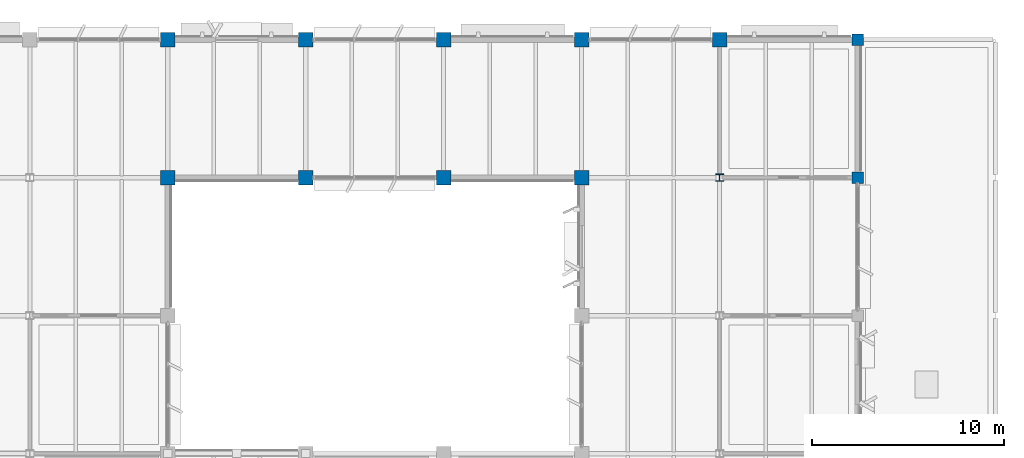
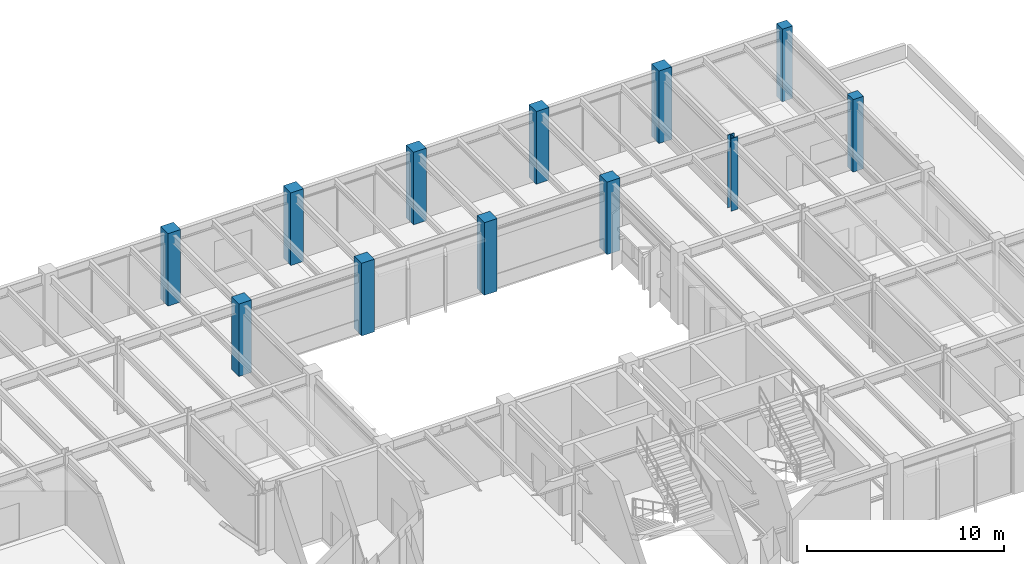
# One storey, part 13 of 92: 12 columns.
"""IFC4 building model written with IfcOpenShell, lengths in metres."""

from ifc_helpers import new_model, si_unit, direction, frame, origin, origin_2d, place, context, subcontext, project, spatial, rectangle, i_section, extrude, material, material_profile, profile_set, type_object, element, save


model = new_model("IFC4")

# Units and contexts
model_context = context("Model", 3, precision=1e-05, world=origin(), true_north=direction((0.0, 1.0)))
body_context = subcontext(model_context, "Body", "Model", "MODEL_VIEW")
ifc_project = project(units=[si_unit("LENGTHUNIT", "METRE"), si_unit("AREAUNIT", "SQUARE_METRE"), si_unit("VOLUMEUNIT", "CUBIC_METRE"), si_unit("PLANEANGLEUNIT", "RADIAN"), si_unit("MASSUNIT", "GRAM", prefix="KILO")], contexts=[model_context])

# Site, building, storey
site_placement = place(None, origin())
site = spatial("IfcSite", under=ifc_project, at=site_placement, CompositionType="ELEMENT")
building_placement = place(site_placement, origin())
building = spatial("IfcBuilding", under=site, at=building_placement, Name="Sillqori Civic Hall", CompositionType="ELEMENT")
storey_placement = place(building_placement, frame((0.0, 0.0, 5.39990234375)))
storey = spatial("IfcBuildingStorey", under=building, at=storey_placement, Name="L02", CompositionType="ELEMENT", Elevation=5.39990234375)

# Columns
ifc_material_1 = material(Name="Concrete C35/45 (H35)", Category="concrete")
ifc_material_profile_1 = material_profile(ifc_material_1, rectangle(XDim=0.60009765625, YDim=0.60009765625, at=origin_2d()), Name="RC 600x600")
ifc_profile_set_1 = profile_set([ifc_material_profile_1], Name="Concrete C35/45 (H35)")
column_type_1 = type_object("IfcColumnType", Name="COL-RC600", PredefinedType="COLUMN", material=ifc_profile_set_1)
for number, where, z_axis, x_axis, name in (
    (1, (108.0, 108.0, 0.0), (0.0, 0.0, 1.0), (1.0, 0.0, 0.0), "L02 column 15-15"),
    (2, (108.0, 115.199951171875, 0.0), (0.0, 0.0, 1.0), (1.0, 0.0, 0.0), "L02 column 15-16"),
):
    element("IfcColumn", number, at=place(storey_placement, frame(where, z_axis=z_axis, x_axis=x_axis)), inside=storey, type_object=column_type_1, Name=name, PredefinedType="COLUMN", context=body_context, shape_type="SweptSolid", body=[
        extrude(rectangle(XDim=0.60009765625, YDim=0.60009765625, at=origin_2d()), origin(), (0.0, 0.0, 1.0), 4.5),
    ])
ifc_material_profile_2 = material_profile(ifc_material_1, rectangle(XDim=0.75, YDim=0.75, at=origin_2d()), Name="RC 750x750")
ifc_profile_set_2 = profile_set([ifc_material_profile_2], Name="Concrete C35/45 (H35)")
column_type_2 = type_object("IfcColumnType", Name="COL-RC750", PredefinedType="COLUMN", material=ifc_profile_set_2)
for number, where, z_axis, x_axis, name in (
    (3, (72.0, 108.0, 0.0), (0.0, 0.0, 1.0), (1.0, 0.0, 0.0), "L02 column 10-15"),
    (4, (72.0, 115.199951171875, 0.0), (0.0, 0.0, 1.0), (1.0, 0.0, 0.0), "L02 column 10-16"),
    (5, (79.199951171875, 108.0, 0.0), (0.0, 0.0, 1.0), (1.0, 0.0, 0.0), "L02 column 11-15"),
    (6, (79.199951171875, 115.199951171875, 0.0), (0.0, 0.0, 1.0), (1.0, 0.0, 0.0), "L02 column 11-16"),
    (7, (86.39990234375, 108.0, 0.0), (0.0, 0.0, 1.0), (1.0, 0.0, 0.0), "L02 column 12-15"),
    (8, (86.39990234375, 115.199951171875, 0.0), (0.0, 0.0, 1.0), (1.0, 0.0, 0.0), "L02 column 12-16"),
    (9, (93.60009765625, 108.0, 0.0), (0.0, 0.0, 1.0), (1.0, 0.0, 0.0), "L02 column 13-15"),
    (10, (93.60009765625, 115.199951171875, 0.0), (0.0, 0.0, 1.0), (1.0, 0.0, 0.0), "L02 column 13-16"),
    (11, (100.800048828125, 115.199951171875, 0.0), (0.0, 0.0, 1.0), (1.0, 0.0, 0.0), "L02 column 14-16"),
):
    element("IfcColumn", number, at=place(storey_placement, frame(where, z_axis=z_axis, x_axis=x_axis)), inside=storey, type_object=column_type_2, Name=name, PredefinedType="COLUMN", context=body_context, shape_type="SweptSolid", body=[
        extrude(rectangle(XDim=0.75, YDim=0.75, at=origin_2d()), origin(), (0.0, 0.0, 1.0), 4.5),
    ])
ifc_material_2 = material(Name="Steel ASTM A992", Category="steel")
ifc_material_profile_3 = material_profile(ifc_material_2, i_section(OverallWidth=0.39892578125, OverallDepth=0.39404296875, WebThickness=0.022705078125, FlangeThickness=0.03662109375, FilletRadius=0.014892578125, at=origin_2d()), Name="W14X193")
ifc_profile_set_3 = profile_set([ifc_material_profile_3], Name="Steel ASTM A992")
column_type_3 = type_object("IfcColumnType", Name="COL-W14X193", PredefinedType="COLUMN", material=ifc_profile_set_3)
column_placement = place(storey_placement, frame((100.800048828125, 108.0, 0.0), z_axis=(0.0, 0.0, 1.0), x_axis=(1.0, 0.0, 0.0)))
element("IfcColumn", 12, at=column_placement, inside=storey, type_object=column_type_3, Name="L02 column 14-15", PredefinedType="COLUMN", context=body_context, shape_type="SweptSolid", body=[
    extrude(i_section(OverallWidth=0.39892578125, OverallDepth=0.39404296875, WebThickness=0.022705078125, FlangeThickness=0.03662109375, FilletRadius=0.014892578125, at=origin_2d()), origin(), (0.0, 0.0, 1.0), 4.5),
])

save(model, "model.ifc")
